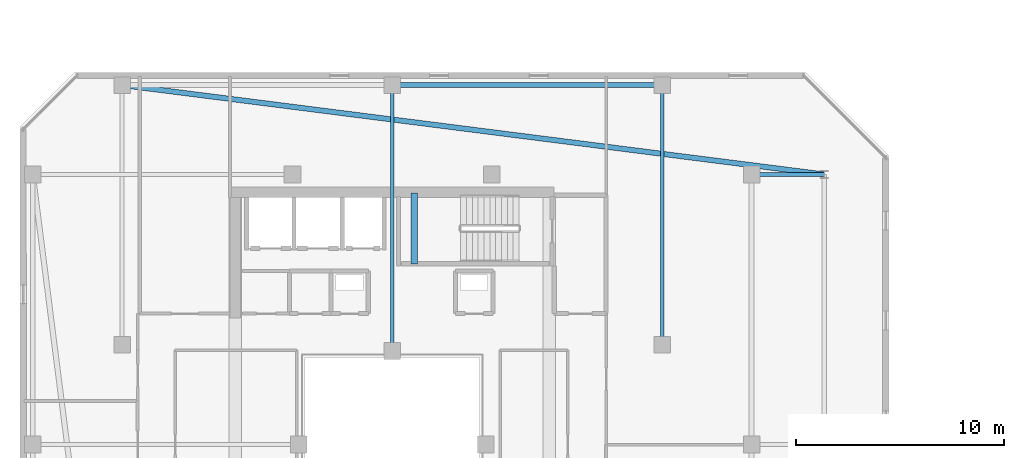
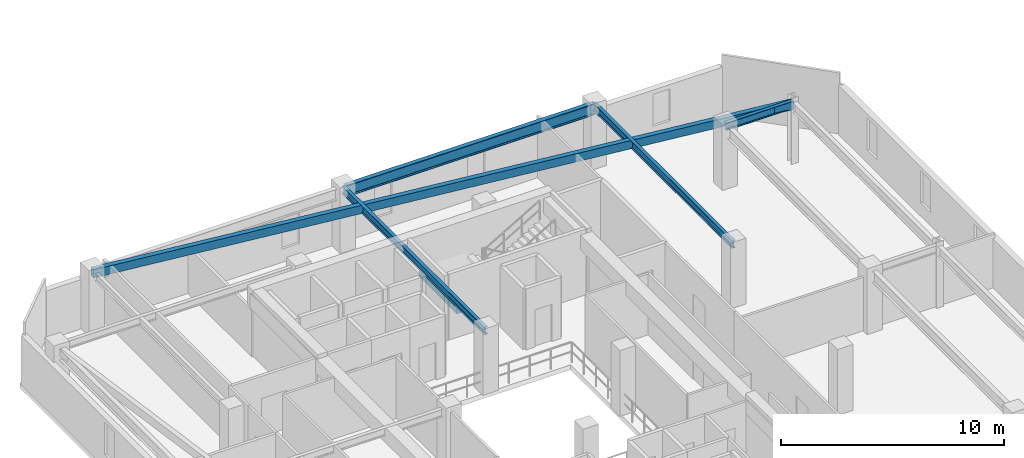
# One storey, part 11 of 34: 6 beams.
"""IFC4 building model written with IfcOpenShell, lengths in metres."""

from ifc_helpers import new_model, si_unit, direction, frame, origin, origin_2d, place, context, subcontext, project, spatial, rectangle, hollow_rectangle, i_section, extrude, material, material_profile, profile_set, type_object, element, save


model = new_model("IFC4")

# Units and contexts
model_context = context("Model", 3, precision=1e-05, world=origin(), true_north=direction((0.0, 1.0)))
body_context = subcontext(model_context, "Body", "Model", "MODEL_VIEW")
ifc_project = project(units=[si_unit("LENGTHUNIT", "METRE"), si_unit("AREAUNIT", "SQUARE_METRE"), si_unit("VOLUMEUNIT", "CUBIC_METRE"), si_unit("PLANEANGLEUNIT", "RADIAN"), si_unit("MASSUNIT", "GRAM", prefix="KILO")], contexts=[model_context])

# Site, building, storey
site_placement = place(None, origin())
site = spatial("IfcSite", under=ifc_project, at=site_placement, CompositionType="ELEMENT")
building_placement = place(site_placement, origin())
building = spatial("IfcBuilding", under=site, at=building_placement, Name="Thornwick Lancets Civic Towers", CompositionType="ELEMENT")
storey_placement = place(building_placement, frame((0.0, 0.0, 258.300048828125)))
storey = spatial("IfcBuildingStorey", under=building, at=storey_placement, Name="L69", CompositionType="ELEMENT", Elevation=258.300048828125)

# Beams
ifc_material_1 = material(Name="Steel S355JR", Category="steel")
ifc_material_profile_1 = material_profile(ifc_material_1, i_section(OverallWidth=0.230224609375, OverallDepth=0.6171875, WebThickness=0.01318359375, FlangeThickness=0.022216796875, FilletRadius=0.0126953125, at=origin_2d()), Name="UKB 610x229x140")
ifc_profile_set_1 = profile_set([ifc_material_profile_1], Name="Steel S355JR")
beam_type_1 = type_object("IfcBeamType", Name="BM_GIRD_610_140", PredefinedType="BEAM", material=ifc_profile_set_1)
beam_1_placement = place(storey_placement, frame((25.580078125, 44.300048828125, 3.05126953125), z_axis=(1.0, 0.0, 0.0), x_axis=(0.0, 1.0, 0.0)))
element("IfcBeam", 1, at=beam_1_placement, inside=storey, type_object=beam_type_1, Name="BM-SPINE-L69-A-7-8", PredefinedType="BEAM", context=body_context, shape_type="SweptSolid", body=[
    extrude(i_section(OverallWidth=0.230224609375, OverallDepth=0.6171875, WebThickness=0.01318359375, FlangeThickness=0.022216796875, FilletRadius=0.0126953125, at=origin_2d()), origin(), (0.0, 0.0, 1.0), 12.919921875),
])
ifc_material_profile_2 = material_profile(ifc_material_1, i_section(OverallWidth=0.179443359375, OverallDepth=0.412841796875, WebThickness=0.009521484375, FlangeThickness=0.01611328125, FilletRadius=0.01025390625, at=origin_2d()), Name="UKB 406x178x74")
ifc_profile_set_2 = profile_set([ifc_material_profile_2], Name="Steel S355JR")
beam_type_2 = type_object("IfcBeamType", Name="BM_JOIST_406_74", PredefinedType="JOIST", material=ifc_profile_set_2)
beam_2_placement = place(storey_placement, frame((42.800048828125, 40.0, 3.153564453125), z_axis=(1.0, 0.0, 0.0), x_axis=(0.0, 1.0, 0.0)))
element("IfcBeam", 2, at=beam_2_placement, inside=storey, type_object=beam_type_2, Name="BM-RAD-L69-A06", PredefinedType="JOIST", context=body_context, shape_type="SweptSolid", body=[
    extrude(i_section(OverallWidth=0.179443359375, OverallDepth=0.412841796875, WebThickness=0.009521484375, FlangeThickness=0.01611328125, FilletRadius=0.01025390625, at=origin_2d()), origin(), (0.0, 0.0, 1.0), 3.5),
])
beam_3_placement = place(storey_placement, frame((25.5, 31.5, 3.153564453125), z_axis=(0.0, 1.0, 0.0), x_axis=(-1.0, 0.0, 0.0)))
element("IfcBeam", 3, at=beam_3_placement, inside=storey, type_object=beam_type_2, Name="BM-RADIN-L69-A08", PredefinedType="JOIST", context=body_context, shape_type="SweptSolid", body=[
    extrude(i_section(OverallWidth=0.179443359375, OverallDepth=0.412841796875, WebThickness=0.009521484375, FlangeThickness=0.01611328125, FilletRadius=0.01025390625, at=origin_2d()), origin(), (0.0, 0.0, 1.0), 12.800048828125),
])
beam_4_placement = place(storey_placement, frame((38.5, 31.800048828125, 3.153564453125), z_axis=(0.0, 1.0, 0.0), x_axis=(-1.0, 0.0, 0.0)))
element("IfcBeam", 4, at=beam_4_placement, inside=storey, type_object=beam_type_2, Name="BM-RADIN-L69-A09", PredefinedType="JOIST", context=body_context, shape_type="SweptSolid", body=[
    extrude(i_section(OverallWidth=0.179443359375, OverallDepth=0.412841796875, WebThickness=0.009521484375, FlangeThickness=0.01611328125, FilletRadius=0.01025390625, at=origin_2d()), origin(), (0.0, 0.0, 1.0), 12.5),
])
ifc_material_profile_3 = material_profile(ifc_material_1, hollow_rectangle(XDim=0.25, YDim=0.449951171875, WallThickness=0.01611328125, at=origin_2d()), Name="RHS 450x250x16")
ifc_profile_set_3 = profile_set([ifc_material_profile_3], Name="Steel S355JR")
beam_type_3 = type_object("IfcBeamType", Name="BM_RING_RHS450", PredefinedType="BEAM", material=ifc_profile_set_3)
beam_5_placement = place(storey_placement, frame((46.300048828125, 40.0, 3.135009765625), z_axis=(-0.992004437051, 0.126202998662, 0.0), x_axis=(-0.126202998662, -0.992004437051, 0.0)))
element("IfcBeam", 5, at=beam_5_placement, inside=storey, type_object=beam_type_3, Name="BM-CHAMF-L69-A-C1", PredefinedType="BEAM", context=body_context, shape_type="SweptSolid", body=[
    extrude(hollow_rectangle(XDim=0.25, YDim=0.449951171875, WallThickness=0.01611328125, at=origin_2d()), origin(), (0.0, 0.0, 1.0), 34.072509765625),
])
ifc_material_2 = material(Name="Concrete C40/50", Category="concrete")
ifc_material_profile_4 = material_profile(ifc_material_2, rectangle(XDim=0.300048828125, YDim=0.35009765625, at=origin_2d()), Name="RC 300x350")
ifc_profile_set_4 = profile_set([ifc_material_profile_4], Name="Concrete C40/50")
beam_type_4 = type_object("IfcBeamType", Name="BM_STAIR_LDG", PredefinedType="BEAM", material=ifc_profile_set_4)
beam_6_placement = place(storey_placement, frame((26.56494140625, 39.10009765625, 1.3779296875), z_axis=(0.0, -1.0, 0.0), x_axis=(1.0, 0.0, 0.0)))
element("IfcBeam", 6, at=beam_6_placement, inside=storey, type_object=beam_type_4, Name="L69 ST-A2 Landing Support Beam 1", PredefinedType="BEAM", context=body_context, shape_type="SweptSolid", body=[
    extrude(rectangle(XDim=0.300048828125, YDim=0.35009765625, at=origin_2d()), origin(), (0.0, 0.0, 1.0), 3.400146484375),
])

save(model, "model.ifc")
